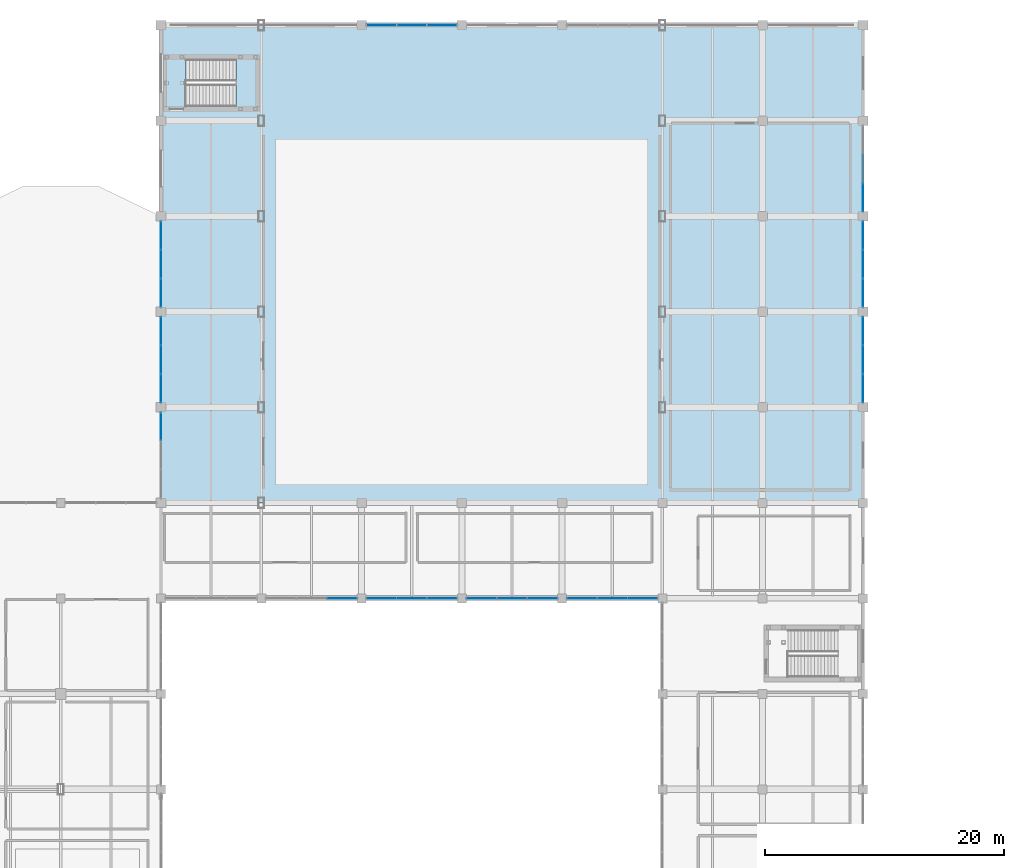
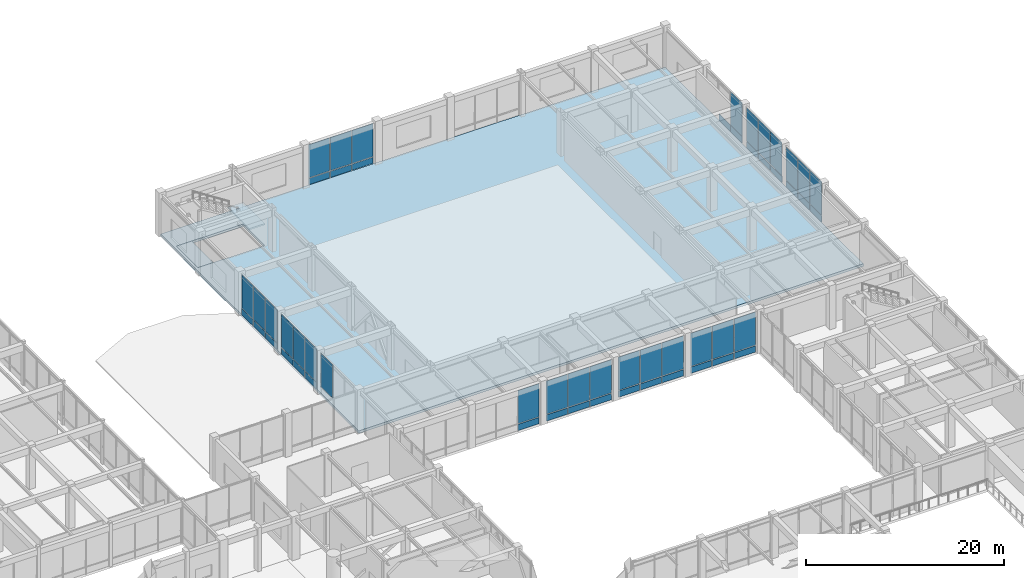
# One storey, part 53 of 79: 54 plates, 3 slabs, 12 elements without a shape of their own.
"""IFC4 building model written with IfcOpenShell, lengths in metres."""

from ifc_helpers import new_model, si_unit, direction, frame, origin, origin_2d, place, context, subcontext, project, spatial, polyline, rectangle, outline, extrude, material, layer, layer_set, type_object, element, aggregate, save


model = new_model("IFC4")

# Units and contexts
model_context = context("Model", 3, precision=1e-05, world=origin(), true_north=direction((0.0, 1.0)))
body_context = subcontext(model_context, "Body", "Model", "MODEL_VIEW")
ifc_project = project(units=[si_unit("LENGTHUNIT", "METRE"), si_unit("AREAUNIT", "SQUARE_METRE"), si_unit("VOLUMEUNIT", "CUBIC_METRE"), si_unit("PLANEANGLEUNIT", "RADIAN"), si_unit("MASSUNIT", "GRAM", prefix="KILO")], contexts=[model_context])

# Site, building, storey
site_placement = place(None, origin())
site = spatial("IfcSite", under=ifc_project, at=site_placement, CompositionType="ELEMENT")
building_placement = place(site_placement, origin())
building = spatial("IfcBuilding", under=site, at=building_placement, Name="Naruveol Harbour Congress Hotel", CompositionType="ELEMENT")
storey_placement = place(building_placement, frame((0.0, 0.0, 6.0)))
storey = spatial("IfcBuildingStorey", under=building, at=storey_placement, Name="L01", CompositionType="ELEMENT", Elevation=6.0)

# Curtain wall, plates
ifc_material_1 = material(Name="Low-E Curtain Wall System", Category="glass")
ifc_layer_1 = layer(ifc_material_1, 0.179931640625)
ifc_layer_set_1 = layer_set([ifc_layer_1], Name="Low-E Curtain Wall System")
curtain_wall_type_1 = type_object("IfcCurtainWallType", Name="UNITISED CURTAIN WALL CW-V2W-17 7200X5100", PredefinedType="USERDEFINED", material=ifc_layer_set_1)
curtain_wall_1_placement = place(storey_placement, origin())
curtain_wall_1 = element("IfcCurtainWall", 1, at=curtain_wall_1_placement, inside=storey, type_object=curtain_wall_type_1, Name="Unitised curtain wall CW-V2W-17 L01", ObjectType="UNITISED GLAZING", PredefinedType="USERDEFINED")
ifc_material_2 = material(Name="Anodised Aluminium Spandrel", Category="aluminium")
ifc_layer_2 = layer(ifc_material_2, 0.054931640625)
ifc_layer_set_2 = layer_set([ifc_layer_2], Name="Anodised Aluminium Spandrel")
plate_type_1 = type_object("IfcPlateType", Name="INSULATED CERAMIC SPANDREL PANEL 55", PredefinedType="CURTAIN_PANEL", material=ifc_layer_set_2)
plate_1_placement = place(storey_placement, frame((67.18994140625, 81.60009765625, 0.0400390625), z_axis=(0.0, 0.0, 1.0), x_axis=(0.0, 1.0, 0.0)))
plate_1 = element("IfcPlate", 2, at=plate_1_placement, type_object=plate_type_1, Name="Curtain wall spandrel panel CW-L01-0037-PS0", PredefinedType="CURTAIN_PANEL", context=body_context, shape_type="SweptSolid", body=[
    extrude(rectangle(XDim=2.320068359375, YDim=0.054931640625, at=origin_2d()), origin(), (0.0, 0.0, 1.0), 0.77001953125),
])
plate_2_placement = place(storey_placement, frame((67.18994140625, 84.0, 0.0400390625), z_axis=(0.0, 0.0, 1.0), x_axis=(0.0, 1.0, 0.0)))
plate_2 = element("IfcPlate", 3, at=plate_2_placement, type_object=plate_type_1, Name="Curtain wall spandrel panel CW-L01-0037-PS1", PredefinedType="CURTAIN_PANEL", context=body_context, shape_type="SweptSolid", body=[
    extrude(rectangle(XDim=2.320068359375, YDim=0.054931640625, at=origin_2d()), origin(), (0.0, 0.0, 1.0), 0.77001953125),
])
plate_3_placement = place(storey_placement, frame((67.18994140625, 86.39990234375, 0.0400390625), z_axis=(0.0, 0.0, 1.0), x_axis=(0.0, 1.0, 0.0)))
plate_3 = element("IfcPlate", 4, at=plate_3_placement, type_object=plate_type_1, Name="Curtain wall spandrel panel CW-L01-0037-PS2", PredefinedType="CURTAIN_PANEL", context=body_context, shape_type="SweptSolid", body=[
    extrude(rectangle(XDim=2.320068359375, YDim=0.054931640625, at=origin_2d()), origin(), (0.0, 0.0, 1.0), 0.77001953125),
])

curtain_wall_2_placement = place(storey_placement, origin())
curtain_wall_2 = element("IfcCurtainWall", 5, at=curtain_wall_2_placement, inside=storey, type_object=curtain_wall_type_1, Name="Unitised curtain wall CW-V2W-17 L01", ObjectType="UNITISED GLAZING", PredefinedType="USERDEFINED")
plate_4_placement = place(storey_placement, frame((67.18994140625, 89.60009765625, 0.0400390625), z_axis=(0.0, 0.0, 1.0), x_axis=(0.0, 1.0, 0.0)))
plate_4 = element("IfcPlate", 6, at=plate_4_placement, type_object=plate_type_1, Name="Curtain wall spandrel panel CW-L01-0038-PS0", PredefinedType="CURTAIN_PANEL", context=body_context, shape_type="SweptSolid", body=[
    extrude(rectangle(XDim=2.320068359375, YDim=0.054931640625, at=origin_2d()), origin(), (0.0, 0.0, 1.0), 0.77001953125),
])
plate_5_placement = place(storey_placement, frame((67.18994140625, 92.0, 0.0400390625), z_axis=(0.0, 0.0, 1.0), x_axis=(0.0, 1.0, 0.0)))
plate_5 = element("IfcPlate", 7, at=plate_5_placement, type_object=plate_type_1, Name="Curtain wall spandrel panel CW-L01-0038-PS1", PredefinedType="CURTAIN_PANEL", context=body_context, shape_type="SweptSolid", body=[
    extrude(rectangle(XDim=2.320068359375, YDim=0.054931640625, at=origin_2d()), origin(), (0.0, 0.0, 1.0), 0.77001953125),
])
plate_6_placement = place(storey_placement, frame((67.18994140625, 94.39990234375, 0.0400390625), z_axis=(0.0, 0.0, 1.0), x_axis=(0.0, 1.0, 0.0)))
plate_6 = element("IfcPlate", 8, at=plate_6_placement, type_object=plate_type_1, Name="Curtain wall spandrel panel CW-L01-0038-PS2", PredefinedType="CURTAIN_PANEL", context=body_context, shape_type="SweptSolid", body=[
    extrude(rectangle(XDim=2.320068359375, YDim=0.054931640625, at=origin_2d()), origin(), (0.0, 0.0, 1.0), 0.77001953125),
])

ifc_material_3 = material(Name="Low-E Curtain Wall System", Category="glass")
ifc_layer_3 = layer(ifc_material_3, 0.179931640625)
ifc_layer_set_3 = layer_set([ifc_layer_3], Name="Low-E Curtain Wall System")
curtain_wall_type_2 = type_object("IfcCurtainWallType", Name="UNITISED CURTAIN WALL CW-V2N-18 7600X5100", PredefinedType="USERDEFINED", material=ifc_layer_set_3)
curtain_wall_3_placement = place(storey_placement, origin())
curtain_wall_3 = element("IfcCurtainWall", 9, at=curtain_wall_3_placement, inside=storey, type_object=curtain_wall_type_2, Name="Unitised curtain wall CW-V2N-18 L01", ObjectType="UNITISED GLAZING", PredefinedType="USERDEFINED")
plate_7_placement = place(storey_placement, frame((85.666748046875, 112.010009765625, 0.0400390625), z_axis=(0.0, 0.0, 1.0), x_axis=(1.0, 0.0, 0.0)))
plate_7 = element("IfcPlate", 10, at=plate_7_placement, type_object=plate_type_1, Name="Curtain wall spandrel panel CW-L01-0039-PS0", PredefinedType="CURTAIN_PANEL", context=body_context, shape_type="SweptSolid", body=[
    extrude(rectangle(XDim=2.452880859375, YDim=0.054931640625, at=origin_2d()), origin(), (0.0, 0.0, 1.0), 0.77001953125),
])
plate_8_placement = place(storey_placement, frame((88.199951171875, 112.010009765625, 0.0400390625), z_axis=(0.0, 0.0, 1.0), x_axis=(1.0, 0.0, 0.0)))
plate_8 = element("IfcPlate", 11, at=plate_8_placement, type_object=plate_type_1, Name="Curtain wall spandrel panel CW-L01-0039-PS1", PredefinedType="CURTAIN_PANEL", context=body_context, shape_type="SweptSolid", body=[
    extrude(rectangle(XDim=2.452880859375, YDim=0.054931640625, at=origin_2d()), origin(), (0.0, 0.0, 1.0), 0.77001953125),
])
plate_9_placement = place(storey_placement, frame((90.7333984375, 112.010009765625, 0.0400390625), z_axis=(0.0, 0.0, 1.0), x_axis=(1.0, 0.0, 0.0)))
plate_9 = element("IfcPlate", 12, at=plate_9_placement, type_object=plate_type_1, Name="Curtain wall spandrel panel CW-L01-0039-PS2", PredefinedType="CURTAIN_PANEL", context=body_context, shape_type="SweptSolid", body=[
    extrude(rectangle(XDim=2.452880859375, YDim=0.054931640625, at=origin_2d()), origin(), (0.0, 0.0, 1.0), 0.77001953125),
])

ifc_material_4 = material(Name="Low-E Curtain Wall System", Category="glass")
ifc_layer_4 = layer(ifc_material_4, 0.179931640625)
ifc_layer_set_4 = layer_set([ifc_layer_4], Name="Low-E Curtain Wall System")
curtain_wall_type_3 = type_object("IfcCurtainWallType", Name="UNITISED CURTAIN WALL CW-V2E-20 7200X5100", PredefinedType="USERDEFINED", material=ifc_layer_set_4)
curtain_wall_4_placement = place(storey_placement, origin())
curtain_wall_4 = element("IfcCurtainWall", 13, at=curtain_wall_4_placement, inside=storey, type_object=curtain_wall_type_3, Name="Unitised curtain wall CW-V2E-20 L01", ObjectType="UNITISED GLAZING", PredefinedType="USERDEFINED")
plate_10_placement = place(storey_placement, frame((126.010009765625, 86.39990234375, 0.0400390625), z_axis=(0.0, 0.0, 1.0), x_axis=(0.0, -1.0, 0.0)))
plate_10 = element("IfcPlate", 14, at=plate_10_placement, type_object=plate_type_1, Name="Curtain wall spandrel panel CW-L01-0041-PS0", PredefinedType="CURTAIN_PANEL", context=body_context, shape_type="SweptSolid", body=[
    extrude(rectangle(XDim=2.320068359375, YDim=0.054931640625, at=origin_2d()), origin(), (0.0, 0.0, 1.0), 0.77001953125),
])
plate_11_placement = place(storey_placement, frame((126.010009765625, 84.0, 0.0400390625), z_axis=(0.0, 0.0, 1.0), x_axis=(0.0, -1.0, 0.0)))
plate_11 = element("IfcPlate", 15, at=plate_11_placement, type_object=plate_type_1, Name="Curtain wall spandrel panel CW-L01-0041-PS1", PredefinedType="CURTAIN_PANEL", context=body_context, shape_type="SweptSolid", body=[
    extrude(rectangle(XDim=2.320068359375, YDim=0.054931640625, at=origin_2d()), origin(), (0.0, 0.0, 1.0), 0.77001953125),
])
plate_12_placement = place(storey_placement, frame((126.010009765625, 81.60009765625, 0.0400390625), z_axis=(0.0, 0.0, 1.0), x_axis=(0.0, -1.0, 0.0)))
plate_12 = element("IfcPlate", 16, at=plate_12_placement, type_object=plate_type_1, Name="Curtain wall spandrel panel CW-L01-0041-PS2", PredefinedType="CURTAIN_PANEL", context=body_context, shape_type="SweptSolid", body=[
    extrude(rectangle(XDim=2.320068359375, YDim=0.054931640625, at=origin_2d()), origin(), (0.0, 0.0, 1.0), 0.77001953125),
])

curtain_wall_5_placement = place(storey_placement, origin())
curtain_wall_5 = element("IfcCurtainWall", 17, at=curtain_wall_5_placement, inside=storey, type_object=curtain_wall_type_3, Name="Unitised curtain wall CW-V2E-20 L01", ObjectType="UNITISED GLAZING", PredefinedType="USERDEFINED")
plate_13_placement = place(storey_placement, frame((126.010009765625, 94.39990234375, 0.0400390625), z_axis=(0.0, 0.0, 1.0), x_axis=(0.0, -1.0, 0.0)))
plate_13 = element("IfcPlate", 18, at=plate_13_placement, type_object=plate_type_1, Name="Curtain wall spandrel panel CW-L01-0042-PS0", PredefinedType="CURTAIN_PANEL", context=body_context, shape_type="SweptSolid", body=[
    extrude(rectangle(XDim=2.320068359375, YDim=0.054931640625, at=origin_2d()), origin(), (0.0, 0.0, 1.0), 0.77001953125),
])
plate_14_placement = place(storey_placement, frame((126.010009765625, 92.0, 0.0400390625), z_axis=(0.0, 0.0, 1.0), x_axis=(0.0, -1.0, 0.0)))
plate_14 = element("IfcPlate", 19, at=plate_14_placement, type_object=plate_type_1, Name="Curtain wall spandrel panel CW-L01-0042-PS1", PredefinedType="CURTAIN_PANEL", context=body_context, shape_type="SweptSolid", body=[
    extrude(rectangle(XDim=2.320068359375, YDim=0.054931640625, at=origin_2d()), origin(), (0.0, 0.0, 1.0), 0.77001953125),
])
plate_15_placement = place(storey_placement, frame((126.010009765625, 89.60009765625, 0.0400390625), z_axis=(0.0, 0.0, 1.0), x_axis=(0.0, -1.0, 0.0)))
plate_15 = element("IfcPlate", 20, at=plate_15_placement, type_object=plate_type_1, Name="Curtain wall spandrel panel CW-L01-0042-PS2", PredefinedType="CURTAIN_PANEL", context=body_context, shape_type="SweptSolid", body=[
    extrude(rectangle(XDim=2.320068359375, YDim=0.054931640625, at=origin_2d()), origin(), (0.0, 0.0, 1.0), 0.77001953125),
])

curtain_wall_6_placement = place(storey_placement, origin())
curtain_wall_6 = element("IfcCurtainWall", 21, at=curtain_wall_6_placement, inside=storey, type_object=curtain_wall_type_3, Name="Unitised curtain wall CW-V2E-20 L01", ObjectType="UNITISED GLAZING", PredefinedType="USERDEFINED")
plate_16_placement = place(storey_placement, frame((126.010009765625, 100.0, 0.0400390625), z_axis=(0.0, 0.0, 1.0), x_axis=(0.0, -1.0, 0.0)))
plate_16 = element("IfcPlate", 22, at=plate_16_placement, type_object=plate_type_1, Name="Curtain wall spandrel panel CW-L01-0043-PS1", PredefinedType="CURTAIN_PANEL", context=body_context, shape_type="SweptSolid", body=[
    extrude(rectangle(XDim=2.320068359375, YDim=0.054931640625, at=origin_2d()), origin(), (0.0, 0.0, 1.0), 0.77001953125),
])
plate_17_placement = place(storey_placement, frame((126.010009765625, 97.60009765625, 0.0400390625), z_axis=(0.0, 0.0, 1.0), x_axis=(0.0, -1.0, 0.0)))
plate_17 = element("IfcPlate", 23, at=plate_17_placement, type_object=plate_type_1, Name="Curtain wall spandrel panel CW-L01-0043-PS2", PredefinedType="CURTAIN_PANEL", context=body_context, shape_type="SweptSolid", body=[
    extrude(rectangle(XDim=2.320068359375, YDim=0.054931640625, at=origin_2d()), origin(), (0.0, 0.0, 1.0), 0.77001953125),
])

# Curtain wall, plate
ifc_material_5 = material(Name="Low-E Curtain Wall System", Category="glass")
ifc_layer_5 = layer(ifc_material_5, 0.179931640625)
ifc_layer_set_5 = layer_set([ifc_layer_5], Name="Low-E Curtain Wall System")
curtain_wall_type_4 = type_object("IfcCurtainWallType", Name="UNITISED CURTAIN WALL CW-CTN-34 7650X5100", PredefinedType="USERDEFINED", material=ifc_layer_set_5)
curtain_wall_7_placement = place(storey_placement, origin())
curtain_wall_7 = element("IfcCurtainWall", 24, at=curtain_wall_7_placement, inside=storey, type_object=curtain_wall_type_4, Name="Unitised curtain wall CW-CTN-34 L01", ObjectType="UNITISED GLAZING", PredefinedType="USERDEFINED")
plate_18_placement = place(storey_placement, frame((82.35009765625, 63.989990234375, 0.0400390625), z_axis=(0.0, 0.0, 1.0), x_axis=(-1.0, 0.0, 0.0)))
plate_18 = element("IfcPlate", 25, at=plate_18_placement, type_object=plate_type_1, Name="Curtain wall spandrel panel CW-L01-0080-PS0", PredefinedType="CURTAIN_PANEL", context=body_context, shape_type="SweptSolid", body=[
    extrude(rectangle(XDim=2.469970703125, YDim=0.054931640625, at=origin_2d()), origin(), (0.0, 0.0, 1.0), 0.77001953125),
])

# Curtain wall, plates
curtain_wall_8_placement = place(storey_placement, origin())
curtain_wall_8 = element("IfcCurtainWall", 26, at=curtain_wall_8_placement, inside=storey, type_object=curtain_wall_type_4, Name="Unitised curtain wall CW-CTN-34 L01", ObjectType="UNITISED GLAZING", PredefinedType="USERDEFINED")
plate_19_placement = place(storey_placement, frame((90.75, 63.989990234375, 0.0400390625), z_axis=(0.0, 0.0, 1.0), x_axis=(-1.0, 0.0, 0.0)))
plate_19 = element("IfcPlate", 27, at=plate_19_placement, type_object=plate_type_1, Name="Curtain wall spandrel panel CW-L01-0082-PS0", PredefinedType="CURTAIN_PANEL", context=body_context, shape_type="SweptSolid", body=[
    extrude(rectangle(XDim=2.469970703125, YDim=0.054931640625, at=origin_2d()), origin(), (0.0, 0.0, 1.0), 0.77001953125),
])
plate_20_placement = place(storey_placement, frame((88.199951171875, 63.989990234375, 0.0400390625), z_axis=(0.0, 0.0, 1.0), x_axis=(-1.0, 0.0, 0.0)))
plate_20 = element("IfcPlate", 28, at=plate_20_placement, type_object=plate_type_1, Name="Curtain wall spandrel panel CW-L01-0082-PS1", PredefinedType="CURTAIN_PANEL", context=body_context, shape_type="SweptSolid", body=[
    extrude(rectangle(XDim=2.469970703125, YDim=0.054931640625, at=origin_2d()), origin(), (0.0, 0.0, 1.0), 0.77001953125),
])
plate_21_placement = place(storey_placement, frame((85.64990234375, 63.989990234375, 0.0400390625), z_axis=(0.0, 0.0, 1.0), x_axis=(-1.0, 0.0, 0.0)))
plate_21 = element("IfcPlate", 29, at=plate_21_placement, type_object=plate_type_1, Name="Curtain wall spandrel panel CW-L01-0082-PS2", PredefinedType="CURTAIN_PANEL", context=body_context, shape_type="SweptSolid", body=[
    extrude(rectangle(XDim=2.469970703125, YDim=0.054931640625, at=origin_2d()), origin(), (0.0, 0.0, 1.0), 0.77001953125),
])

curtain_wall_9_placement = place(storey_placement, origin())
curtain_wall_9 = element("IfcCurtainWall", 30, at=curtain_wall_9_placement, inside=storey, type_object=curtain_wall_type_4, Name="Unitised curtain wall CW-CTN-34 L01", ObjectType="UNITISED GLAZING", PredefinedType="USERDEFINED")
plate_22_placement = place(storey_placement, frame((99.14990234375, 63.989990234375, 0.0400390625), z_axis=(0.0, 0.0, 1.0), x_axis=(-1.0, 0.0, 0.0)))
plate_22 = element("IfcPlate", 31, at=plate_22_placement, type_object=plate_type_1, Name="Curtain wall spandrel panel CW-L01-0084-PS0", PredefinedType="CURTAIN_PANEL", context=body_context, shape_type="SweptSolid", body=[
    extrude(rectangle(XDim=2.469970703125, YDim=0.054931640625, at=origin_2d()), origin(), (0.0, 0.0, 1.0), 0.77001953125),
])
plate_23_placement = place(storey_placement, frame((96.60009765625, 63.989990234375, 0.0400390625), z_axis=(0.0, 0.0, 1.0), x_axis=(-1.0, 0.0, 0.0)))
plate_23 = element("IfcPlate", 32, at=plate_23_placement, type_object=plate_type_1, Name="Curtain wall spandrel panel CW-L01-0084-PS1", PredefinedType="CURTAIN_PANEL", context=body_context, shape_type="SweptSolid", body=[
    extrude(rectangle(XDim=2.469970703125, YDim=0.054931640625, at=origin_2d()), origin(), (0.0, 0.0, 1.0), 0.77001953125),
])
plate_24_placement = place(storey_placement, frame((94.050048828125, 63.989990234375, 0.0400390625), z_axis=(0.0, 0.0, 1.0), x_axis=(-1.0, 0.0, 0.0)))
plate_24 = element("IfcPlate", 33, at=plate_24_placement, type_object=plate_type_1, Name="Curtain wall spandrel panel CW-L01-0084-PS2", PredefinedType="CURTAIN_PANEL", context=body_context, shape_type="SweptSolid", body=[
    extrude(rectangle(XDim=2.469970703125, YDim=0.054931640625, at=origin_2d()), origin(), (0.0, 0.0, 1.0), 0.77001953125),
])

curtain_wall_10_placement = place(storey_placement, origin())
curtain_wall_10 = element("IfcCurtainWall", 34, at=curtain_wall_10_placement, inside=storey, type_object=curtain_wall_type_4, Name="Unitised curtain wall CW-CTN-34 L01", ObjectType="UNITISED GLAZING", PredefinedType="USERDEFINED")
plate_25_placement = place(storey_placement, frame((107.550048828125, 63.989990234375, 0.0400390625), z_axis=(0.0, 0.0, 1.0), x_axis=(-1.0, 0.0, 0.0)))
plate_25 = element("IfcPlate", 35, at=plate_25_placement, type_object=plate_type_1, Name="Curtain wall spandrel panel CW-L01-0086-PS0", PredefinedType="CURTAIN_PANEL", context=body_context, shape_type="SweptSolid", body=[
    extrude(rectangle(XDim=2.469970703125, YDim=0.054931640625, at=origin_2d()), origin(), (0.0, 0.0, 1.0), 0.77001953125),
])
plate_26_placement = place(storey_placement, frame((105.0, 63.989990234375, 0.0400390625), z_axis=(0.0, 0.0, 1.0), x_axis=(-1.0, 0.0, 0.0)))
plate_26 = element("IfcPlate", 36, at=plate_26_placement, type_object=plate_type_1, Name="Curtain wall spandrel panel CW-L01-0086-PS1", PredefinedType="CURTAIN_PANEL", context=body_context, shape_type="SweptSolid", body=[
    extrude(rectangle(XDim=2.469970703125, YDim=0.054931640625, at=origin_2d()), origin(), (0.0, 0.0, 1.0), 0.77001953125),
])
plate_27_placement = place(storey_placement, frame((102.449951171875, 63.989990234375, 0.0400390625), z_axis=(0.0, 0.0, 1.0), x_axis=(-1.0, 0.0, 0.0)))
plate_27 = element("IfcPlate", 37, at=plate_27_placement, type_object=plate_type_1, Name="Curtain wall spandrel panel CW-L01-0086-PS2", PredefinedType="CURTAIN_PANEL", context=body_context, shape_type="SweptSolid", body=[
    extrude(rectangle(XDim=2.469970703125, YDim=0.054931640625, at=origin_2d()), origin(), (0.0, 0.0, 1.0), 0.77001953125),
])

# Curtain wall, plate
curtain_wall_11_placement = place(storey_placement, origin())
curtain_wall_11 = element("IfcCurtainWall", 38, at=curtain_wall_11_placement, inside=storey, type_object=curtain_wall_type_1, Name="Unitised curtain wall CW-V2W-17 L01", ObjectType="UNITISED GLAZING", PredefinedType="USERDEFINED")
ifc_material_6 = material(Name="Low-E Insulated Glass", Category="glass")
ifc_layer_6 = layer(ifc_material_6, 0.0419921875)
ifc_layer_set_6 = layer_set([ifc_layer_6], Name="Low-E Insulated Glass")
plate_type_2 = type_object("IfcPlateType", Name="LOW-E TRIPLE GLAZED CURTAIN PANEL 42", PredefinedType="CURTAIN_PANEL", material=ifc_layer_set_6)
plate_28_placement = place(storey_placement, frame((67.18994140625, 78.39990234375, 0.89013671875), z_axis=(0.0, 0.0, 1.0), x_axis=(0.0, 1.0, 0.0)))
plate_28 = element("IfcPlate", 39, at=plate_28_placement, type_object=plate_type_2, Name="Curtain wall vision panel CW-L01-0036-PG2", PredefinedType="CURTAIN_PANEL", context=body_context, shape_type="SweptSolid", body=[
    extrude(rectangle(XDim=2.320068359375, YDim=0.0419921875, at=origin_2d()), origin(), (0.0, 0.0, 1.0), 4.090087890625),
])
aggregate(curtain_wall_11, [plate_28])

# Plate
plate_29_placement = place(storey_placement, frame((67.18994140625, 81.60009765625, 0.89013671875), z_axis=(0.0, 0.0, 1.0), x_axis=(0.0, 1.0, 0.0)))
plate_29 = element("IfcPlate", 40, at=plate_29_placement, type_object=plate_type_2, Name="Curtain wall vision panel CW-L01-0037-PG0", PredefinedType="CURTAIN_PANEL", context=body_context, shape_type="SweptSolid", body=[
    extrude(rectangle(XDim=2.320068359375, YDim=0.0419921875, at=origin_2d()), origin(), (0.0, 0.0, 1.0), 4.090087890625),
])

plate_30_placement = place(storey_placement, frame((67.18994140625, 84.0, 0.89013671875), z_axis=(0.0, 0.0, 1.0), x_axis=(0.0, 1.0, 0.0)))
plate_30 = element("IfcPlate", 41, at=plate_30_placement, type_object=plate_type_2, Name="Curtain wall vision panel CW-L01-0037-PG1", PredefinedType="CURTAIN_PANEL", context=body_context, shape_type="SweptSolid", body=[
    extrude(rectangle(XDim=2.320068359375, YDim=0.0419921875, at=origin_2d()), origin(), (0.0, 0.0, 1.0), 4.090087890625),
])

plate_31_placement = place(storey_placement, frame((67.18994140625, 86.39990234375, 0.89013671875), z_axis=(0.0, 0.0, 1.0), x_axis=(0.0, 1.0, 0.0)))
plate_31 = element("IfcPlate", 42, at=plate_31_placement, type_object=plate_type_2, Name="Curtain wall vision panel CW-L01-0037-PG2", PredefinedType="CURTAIN_PANEL", context=body_context, shape_type="SweptSolid", body=[
    extrude(rectangle(XDim=2.320068359375, YDim=0.0419921875, at=origin_2d()), origin(), (0.0, 0.0, 1.0), 4.090087890625),
])

aggregate(curtain_wall_1, [plate_1, plate_29, plate_2, plate_30, plate_3, plate_31])

plate_32_placement = place(storey_placement, frame((67.18994140625, 89.60009765625, 0.89013671875), z_axis=(0.0, 0.0, 1.0), x_axis=(0.0, 1.0, 0.0)))
plate_32 = element("IfcPlate", 43, at=plate_32_placement, type_object=plate_type_2, Name="Curtain wall vision panel CW-L01-0038-PG0", PredefinedType="CURTAIN_PANEL", context=body_context, shape_type="SweptSolid", body=[
    extrude(rectangle(XDim=2.320068359375, YDim=0.0419921875, at=origin_2d()), origin(), (0.0, 0.0, 1.0), 4.090087890625),
])

plate_33_placement = place(storey_placement, frame((67.18994140625, 92.0, 0.89013671875), z_axis=(0.0, 0.0, 1.0), x_axis=(0.0, 1.0, 0.0)))
plate_33 = element("IfcPlate", 44, at=plate_33_placement, type_object=plate_type_2, Name="Curtain wall vision panel CW-L01-0038-PG1", PredefinedType="CURTAIN_PANEL", context=body_context, shape_type="SweptSolid", body=[
    extrude(rectangle(XDim=2.320068359375, YDim=0.0419921875, at=origin_2d()), origin(), (0.0, 0.0, 1.0), 4.090087890625),
])

plate_34_placement = place(storey_placement, frame((67.18994140625, 94.39990234375, 0.89013671875), z_axis=(0.0, 0.0, 1.0), x_axis=(0.0, 1.0, 0.0)))
plate_34 = element("IfcPlate", 45, at=plate_34_placement, type_object=plate_type_2, Name="Curtain wall vision panel CW-L01-0038-PG2", PredefinedType="CURTAIN_PANEL", context=body_context, shape_type="SweptSolid", body=[
    extrude(rectangle(XDim=2.320068359375, YDim=0.0419921875, at=origin_2d()), origin(), (0.0, 0.0, 1.0), 4.090087890625),
])

aggregate(curtain_wall_2, [plate_4, plate_32, plate_5, plate_33, plate_6, plate_34])

plate_35_placement = place(storey_placement, frame((85.666748046875, 112.010009765625, 0.89013671875), z_axis=(0.0, 0.0, 1.0), x_axis=(1.0, 0.0, 0.0)))
plate_35 = element("IfcPlate", 46, at=plate_35_placement, type_object=plate_type_2, Name="Curtain wall vision panel CW-L01-0039-PG0", PredefinedType="CURTAIN_PANEL", context=body_context, shape_type="SweptSolid", body=[
    extrude(rectangle(XDim=2.452880859375, YDim=0.0419921875, at=origin_2d()), origin(), (0.0, 0.0, 1.0), 4.090087890625),
])

plate_36_placement = place(storey_placement, frame((88.199951171875, 112.010009765625, 0.89013671875), z_axis=(0.0, 0.0, 1.0), x_axis=(1.0, 0.0, 0.0)))
plate_36 = element("IfcPlate", 47, at=plate_36_placement, type_object=plate_type_2, Name="Curtain wall vision panel CW-L01-0039-PG1", PredefinedType="CURTAIN_PANEL", context=body_context, shape_type="SweptSolid", body=[
    extrude(rectangle(XDim=2.452880859375, YDim=0.0419921875, at=origin_2d()), origin(), (0.0, 0.0, 1.0), 4.090087890625),
])

plate_37_placement = place(storey_placement, frame((90.7333984375, 112.010009765625, 0.89013671875), z_axis=(0.0, 0.0, 1.0), x_axis=(1.0, 0.0, 0.0)))
plate_37 = element("IfcPlate", 48, at=plate_37_placement, type_object=plate_type_2, Name="Curtain wall vision panel CW-L01-0039-PG2", PredefinedType="CURTAIN_PANEL", context=body_context, shape_type="SweptSolid", body=[
    extrude(rectangle(XDim=2.452880859375, YDim=0.0419921875, at=origin_2d()), origin(), (0.0, 0.0, 1.0), 4.090087890625),
])

aggregate(curtain_wall_3, [plate_7, plate_35, plate_8, plate_36, plate_9, plate_37])

plate_38_placement = place(storey_placement, frame((126.010009765625, 86.39990234375, 0.89013671875), z_axis=(0.0, 0.0, 1.0), x_axis=(0.0, -1.0, 0.0)))
plate_38 = element("IfcPlate", 49, at=plate_38_placement, type_object=plate_type_2, Name="Curtain wall vision panel CW-L01-0041-PG0", PredefinedType="CURTAIN_PANEL", context=body_context, shape_type="SweptSolid", body=[
    extrude(rectangle(XDim=2.320068359375, YDim=0.0419921875, at=origin_2d()), origin(), (0.0, 0.0, 1.0), 4.090087890625),
])

plate_39_placement = place(storey_placement, frame((126.010009765625, 84.0, 0.89013671875), z_axis=(0.0, 0.0, 1.0), x_axis=(0.0, -1.0, 0.0)))
plate_39 = element("IfcPlate", 50, at=plate_39_placement, type_object=plate_type_2, Name="Curtain wall vision panel CW-L01-0041-PG1", PredefinedType="CURTAIN_PANEL", context=body_context, shape_type="SweptSolid", body=[
    extrude(rectangle(XDim=2.320068359375, YDim=0.0419921875, at=origin_2d()), origin(), (0.0, 0.0, 1.0), 4.090087890625),
])

plate_40_placement = place(storey_placement, frame((126.010009765625, 81.60009765625, 0.89013671875), z_axis=(0.0, 0.0, 1.0), x_axis=(0.0, -1.0, 0.0)))
plate_40 = element("IfcPlate", 51, at=plate_40_placement, type_object=plate_type_2, Name="Curtain wall vision panel CW-L01-0041-PG2", PredefinedType="CURTAIN_PANEL", context=body_context, shape_type="SweptSolid", body=[
    extrude(rectangle(XDim=2.320068359375, YDim=0.0419921875, at=origin_2d()), origin(), (0.0, 0.0, 1.0), 4.090087890625),
])

aggregate(curtain_wall_4, [plate_10, plate_38, plate_11, plate_39, plate_12, plate_40])

plate_41_placement = place(storey_placement, frame((126.010009765625, 94.39990234375, 0.89013671875), z_axis=(0.0, 0.0, 1.0), x_axis=(0.0, -1.0, 0.0)))
plate_41 = element("IfcPlate", 52, at=plate_41_placement, type_object=plate_type_2, Name="Curtain wall vision panel CW-L01-0042-PG0", PredefinedType="CURTAIN_PANEL", context=body_context, shape_type="SweptSolid", body=[
    extrude(rectangle(XDim=2.320068359375, YDim=0.0419921875, at=origin_2d()), origin(), (0.0, 0.0, 1.0), 4.090087890625),
])

plate_42_placement = place(storey_placement, frame((126.010009765625, 92.0, 0.89013671875), z_axis=(0.0, 0.0, 1.0), x_axis=(0.0, -1.0, 0.0)))
plate_42 = element("IfcPlate", 53, at=plate_42_placement, type_object=plate_type_2, Name="Curtain wall vision panel CW-L01-0042-PG1", PredefinedType="CURTAIN_PANEL", context=body_context, shape_type="SweptSolid", body=[
    extrude(rectangle(XDim=2.320068359375, YDim=0.0419921875, at=origin_2d()), origin(), (0.0, 0.0, 1.0), 4.090087890625),
])

plate_43_placement = place(storey_placement, frame((126.010009765625, 89.60009765625, 0.89013671875), z_axis=(0.0, 0.0, 1.0), x_axis=(0.0, -1.0, 0.0)))
plate_43 = element("IfcPlate", 54, at=plate_43_placement, type_object=plate_type_2, Name="Curtain wall vision panel CW-L01-0042-PG2", PredefinedType="CURTAIN_PANEL", context=body_context, shape_type="SweptSolid", body=[
    extrude(rectangle(XDim=2.320068359375, YDim=0.0419921875, at=origin_2d()), origin(), (0.0, 0.0, 1.0), 4.090087890625),
])

aggregate(curtain_wall_5, [plate_13, plate_41, plate_14, plate_42, plate_15, plate_43])

plate_44_placement = place(storey_placement, frame((126.010009765625, 97.60009765625, 0.89013671875), z_axis=(0.0, 0.0, 1.0), x_axis=(0.0, -1.0, 0.0)))
plate_44 = element("IfcPlate", 55, at=plate_44_placement, type_object=plate_type_2, Name="Curtain wall vision panel CW-L01-0043-PG2", PredefinedType="CURTAIN_PANEL", context=body_context, shape_type="SweptSolid", body=[
    extrude(rectangle(XDim=2.320068359375, YDim=0.0419921875, at=origin_2d()), origin(), (0.0, 0.0, 1.0), 4.090087890625),
])

aggregate(curtain_wall_6, [plate_16, plate_17, plate_44])

plate_45_placement = place(storey_placement, frame((82.35009765625, 63.989990234375, 0.89013671875), z_axis=(0.0, 0.0, 1.0), x_axis=(-1.0, 0.0, 0.0)))
plate_45 = element("IfcPlate", 56, at=plate_45_placement, type_object=plate_type_2, Name="Curtain wall vision panel CW-L01-0080-PG0", PredefinedType="CURTAIN_PANEL", context=body_context, shape_type="SweptSolid", body=[
    extrude(rectangle(XDim=2.469970703125, YDim=0.0419921875, at=origin_2d()), origin(), (0.0, 0.0, 1.0), 4.090087890625),
])

aggregate(curtain_wall_7, [plate_18, plate_45])

plate_46_placement = place(storey_placement, frame((90.75, 63.989990234375, 0.89013671875), z_axis=(0.0, 0.0, 1.0), x_axis=(-1.0, 0.0, 0.0)))
plate_46 = element("IfcPlate", 57, at=plate_46_placement, type_object=plate_type_2, Name="Curtain wall vision panel CW-L01-0082-PG0", PredefinedType="CURTAIN_PANEL", context=body_context, shape_type="SweptSolid", body=[
    extrude(rectangle(XDim=2.469970703125, YDim=0.0419921875, at=origin_2d()), origin(), (0.0, 0.0, 1.0), 4.090087890625),
])

plate_47_placement = place(storey_placement, frame((88.199951171875, 63.989990234375, 0.89013671875), z_axis=(0.0, 0.0, 1.0), x_axis=(-1.0, 0.0, 0.0)))
plate_47 = element("IfcPlate", 58, at=plate_47_placement, type_object=plate_type_2, Name="Curtain wall vision panel CW-L01-0082-PG1", PredefinedType="CURTAIN_PANEL", context=body_context, shape_type="SweptSolid", body=[
    extrude(rectangle(XDim=2.469970703125, YDim=0.0419921875, at=origin_2d()), origin(), (0.0, 0.0, 1.0), 4.090087890625),
])

plate_48_placement = place(storey_placement, frame((85.64990234375, 63.989990234375, 0.89013671875), z_axis=(0.0, 0.0, 1.0), x_axis=(-1.0, 0.0, 0.0)))
plate_48 = element("IfcPlate", 59, at=plate_48_placement, type_object=plate_type_2, Name="Curtain wall vision panel CW-L01-0082-PG2", PredefinedType="CURTAIN_PANEL", context=body_context, shape_type="SweptSolid", body=[
    extrude(rectangle(XDim=2.469970703125, YDim=0.0419921875, at=origin_2d()), origin(), (0.0, 0.0, 1.0), 4.090087890625),
])

aggregate(curtain_wall_8, [plate_19, plate_46, plate_20, plate_47, plate_21, plate_48])

plate_49_placement = place(storey_placement, frame((99.14990234375, 63.989990234375, 0.89013671875), z_axis=(0.0, 0.0, 1.0), x_axis=(-1.0, 0.0, 0.0)))
plate_49 = element("IfcPlate", 60, at=plate_49_placement, type_object=plate_type_2, Name="Curtain wall vision panel CW-L01-0084-PG0", PredefinedType="CURTAIN_PANEL", context=body_context, shape_type="SweptSolid", body=[
    extrude(rectangle(XDim=2.469970703125, YDim=0.0419921875, at=origin_2d()), origin(), (0.0, 0.0, 1.0), 4.090087890625),
])

plate_50_placement = place(storey_placement, frame((96.60009765625, 63.989990234375, 0.89013671875), z_axis=(0.0, 0.0, 1.0), x_axis=(-1.0, 0.0, 0.0)))
plate_50 = element("IfcPlate", 61, at=plate_50_placement, type_object=plate_type_2, Name="Curtain wall vision panel CW-L01-0084-PG1", PredefinedType="CURTAIN_PANEL", context=body_context, shape_type="SweptSolid", body=[
    extrude(rectangle(XDim=2.469970703125, YDim=0.0419921875, at=origin_2d()), origin(), (0.0, 0.0, 1.0), 4.090087890625),
])

plate_51_placement = place(storey_placement, frame((94.050048828125, 63.989990234375, 0.89013671875), z_axis=(0.0, 0.0, 1.0), x_axis=(-1.0, 0.0, 0.0)))
plate_51 = element("IfcPlate", 62, at=plate_51_placement, type_object=plate_type_2, Name="Curtain wall vision panel CW-L01-0084-PG2", PredefinedType="CURTAIN_PANEL", context=body_context, shape_type="SweptSolid", body=[
    extrude(rectangle(XDim=2.469970703125, YDim=0.0419921875, at=origin_2d()), origin(), (0.0, 0.0, 1.0), 4.090087890625),
])

aggregate(curtain_wall_9, [plate_22, plate_49, plate_23, plate_50, plate_24, plate_51])

plate_52_placement = place(storey_placement, frame((107.550048828125, 63.989990234375, 0.89013671875), z_axis=(0.0, 0.0, 1.0), x_axis=(-1.0, 0.0, 0.0)))
plate_52 = element("IfcPlate", 63, at=plate_52_placement, type_object=plate_type_2, Name="Curtain wall vision panel CW-L01-0086-PG0", PredefinedType="CURTAIN_PANEL", context=body_context, shape_type="SweptSolid", body=[
    extrude(rectangle(XDim=2.469970703125, YDim=0.0419921875, at=origin_2d()), origin(), (0.0, 0.0, 1.0), 4.090087890625),
])

plate_53_placement = place(storey_placement, frame((105.0, 63.989990234375, 0.89013671875), z_axis=(0.0, 0.0, 1.0), x_axis=(-1.0, 0.0, 0.0)))
plate_53 = element("IfcPlate", 64, at=plate_53_placement, type_object=plate_type_2, Name="Curtain wall vision panel CW-L01-0086-PG1", PredefinedType="CURTAIN_PANEL", context=body_context, shape_type="SweptSolid", body=[
    extrude(rectangle(XDim=2.469970703125, YDim=0.0419921875, at=origin_2d()), origin(), (0.0, 0.0, 1.0), 4.090087890625),
])

plate_54_placement = place(storey_placement, frame((102.449951171875, 63.989990234375, 0.89013671875), z_axis=(0.0, 0.0, 1.0), x_axis=(-1.0, 0.0, 0.0)))
plate_54 = element("IfcPlate", 65, at=plate_54_placement, type_object=plate_type_2, Name="Curtain wall vision panel CW-L01-0086-PG2", PredefinedType="CURTAIN_PANEL", context=body_context, shape_type="SweptSolid", body=[
    extrude(rectangle(XDim=2.469970703125, YDim=0.0419921875, at=origin_2d()), origin(), (0.0, 0.0, 1.0), 4.090087890625),
])

aggregate(curtain_wall_10, [plate_25, plate_52, plate_26, plate_53, plate_27, plate_54])

# Slabs
ifc_material_7 = material(Name="Concrete C40/50", Category="concrete")
ifc_layer_7 = layer(ifc_material_7, 0.300048828125)
ifc_layer_set_7 = layer_set([ifc_layer_7], Name="Concrete C40/50")
slab_type_1 = type_object("IfcSlabType", Name="RC AUDITORIUM AND HALL SLAB 300", PredefinedType="FLOOR", material=ifc_layer_set_7)
slab_1_placement = place(storey_placement, frame((0.0, 0.0, -0.300048828125)))
element("IfcSlab", 66, at=slab_1_placement, inside=storey, type_object=slab_type_1, Name="Level L01 Grand Ballroom floor slab", PredefinedType="FLOOR", context=body_context, shape_type="SweptSolid", body=[
    extrude(outline(polyline([(67.199951171875, 72.0), (126.0, 72.0), (126.0, 112.0), (67.199951171875, 112.0), (67.199951171875, 72.0)]), holes=[polyline([(67.5, 105.0), (75.300048828125, 105.0), (75.300048828125, 109.360107421875), (67.5, 109.360107421875), (67.5, 105.0)])]), origin(), (0.0, 0.0, 1.0), 0.300048828125),
])
ifc_material_8 = material(Name="Concrete C40/50", Category="concrete")
ifc_layer_8 = layer(ifc_material_8, 0.179931640625)
ifc_layer_set_8 = layer_set([ifc_layer_8], Name="Concrete C40/50")
slab_type_2 = type_object("IfcSlabType", Name="RC STAIR HALF LANDING SLAB 180", PredefinedType="LANDING", material=ifc_layer_set_8)
slab_2_placement = place(storey_placement, frame((0.0, 0.0, -0.179931640625)))
element("IfcSlab", 67, at=slab_2_placement, inside=storey, type_object=slab_type_2, Name="Stair ST8 L01 floor landing", PredefinedType="LANDING", context=body_context, shape_type="SweptSolid", body=[
    extrude(outline(polyline([(67.5, 105.0), (69.300048828125, 105.0), (69.300048828125, 109.360107421875), (67.5, 109.360107421875), (67.5, 105.0)])), origin(), (0.0, 0.0, 1.0), 0.179931640625),
])

# Stair, slab
ifc_material_9 = material(Name="Concrete C40/50", Category="concrete")
stair_type = type_object("IfcStairType", Name="RC DOG LEG ESCAPE STAIR 1800W H5400", PredefinedType="HALF_TURN_STAIR", material=ifc_material_9)
stair_placement = place(storey_placement, origin())
stair = element("IfcStair", 68, at=stair_placement, inside=storey, type_object=stair_type, Name="Ballroom West Exit Stair ST8 L01 to L02", PredefinedType="HALF_TURN_STAIR")
slab_3_placement = place(storey_placement, frame((0.0, 0.0, 2.52001953125)))
slab_3 = element("IfcSlab", 69, at=slab_3_placement, type_object=slab_type_2, Name="ST8 L01 half landing", PredefinedType="LANDING", context=body_context, shape_type="SweptSolid", body=[
    extrude(outline(polyline([(73.5, 105.0), (75.300048828125, 105.0), (75.300048828125, 109.360107421875), (73.5, 109.360107421875), (73.5, 105.0)])), origin(), (0.0, 0.0, 1.0), 0.179931640625),
])
aggregate(stair, [slab_3])

save(model, "model.ifc")
